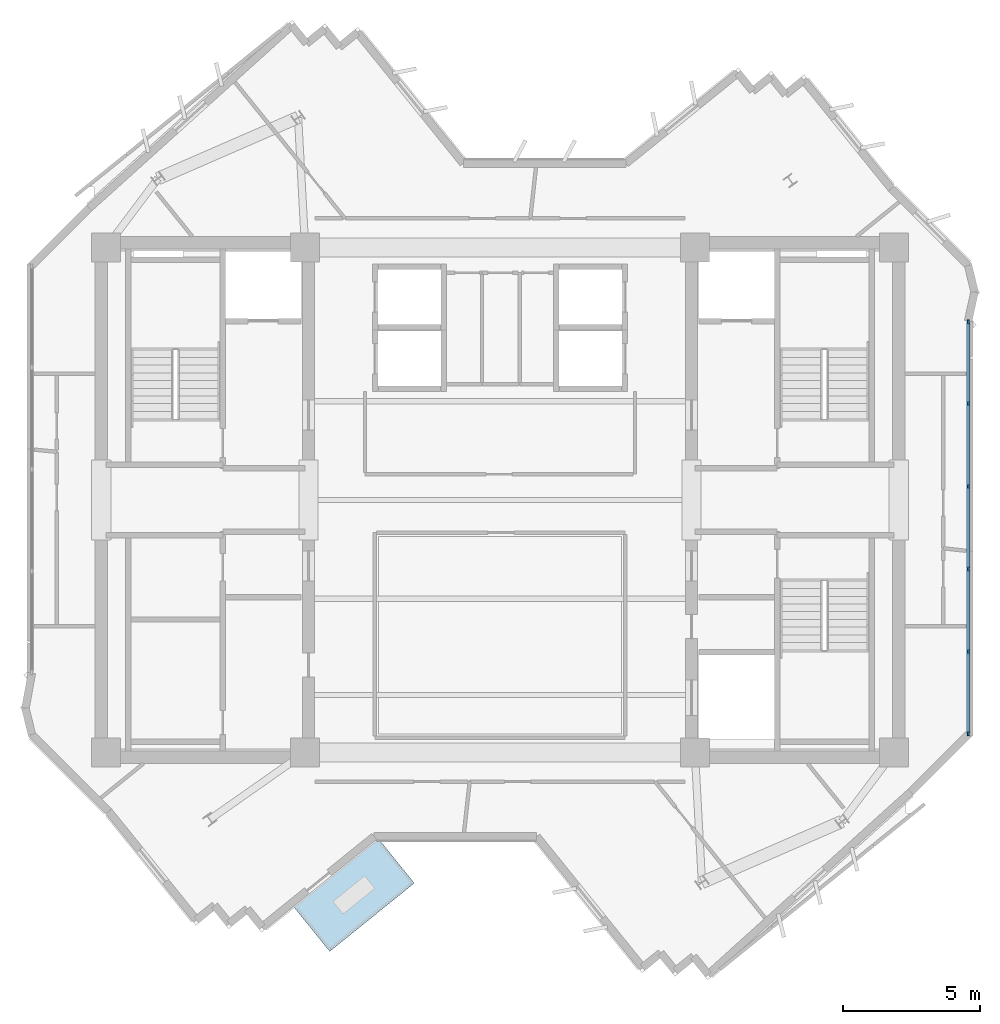
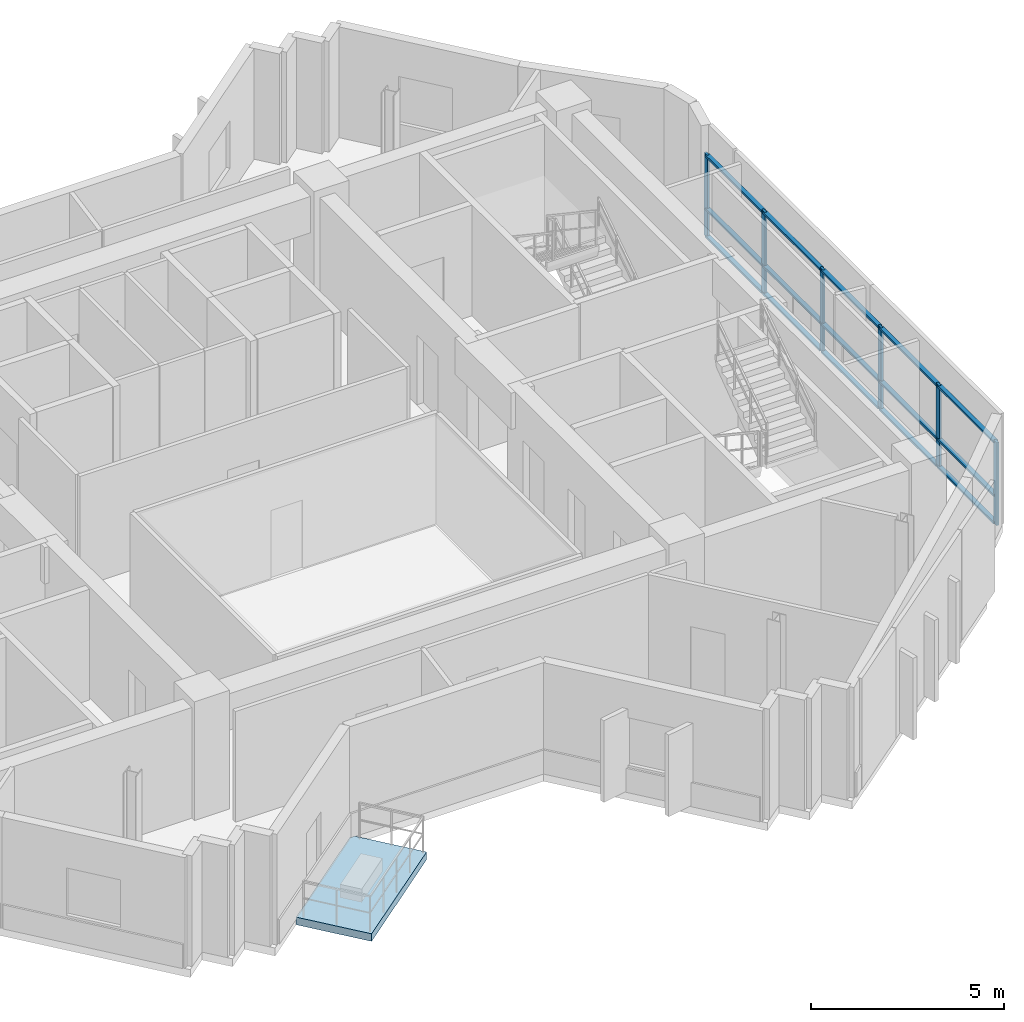
# One storey, part 4 of 11: 21 members, 1 slab, 1 element without a shape of its own.
"""IFC4 building model written with IfcOpenShell, lengths in metres."""

from ifc_helpers import new_model, si_unit, direction, frame, origin, origin_2d, place, context, subcontext, project, spatial, polyline, rectangle, outline, extrude, source, transform, mapped, material, layer, layer_set, material_profile, profile_set, type_object, element, aggregate, save


model = new_model("IFC4")

# Units and contexts
model_context = context("Model", 3, precision=1e-05, world=origin(), true_north=direction((0.0, 1.0)))
body_context = subcontext(model_context, "Body", "Model", "MODEL_VIEW")
ifc_project = project(units=[si_unit("LENGTHUNIT", "METRE"), si_unit("AREAUNIT", "SQUARE_METRE"), si_unit("VOLUMEUNIT", "CUBIC_METRE"), si_unit("PLANEANGLEUNIT", "RADIAN"), si_unit("MASSUNIT", "GRAM", prefix="KILO")], contexts=[model_context])

# Site, building, storey
site_placement = place(None, origin())
site = spatial("IfcSite", under=ifc_project, at=site_placement, CompositionType="ELEMENT")
building_placement = place(site_placement, origin())
building = spatial("IfcBuilding", under=site, at=building_placement, Name="Zahravan Cultural Tower", CompositionType="ELEMENT")
storey_placement = place(building_placement, frame((0.0, 0.0, 284.10009765625)))
storey = spatial("IfcBuildingStorey", under=building, at=storey_placement, Name="L68", CompositionType="ELEMENT", Elevation=284.10009765625)

# Curtain wall, members
ifc_material_1 = material(Name="Anodised bronze-aluminium mullion", Category="aluminium")
ifc_layer_1 = layer(ifc_material_1, 0.1650390625)
ifc_layer_set_1 = layer_set([ifc_layer_1], Name="Anodised bronze-aluminium mullion")
curtain_wall_type = type_object("IfcCurtainWallType", Name="CW-SYS-4", PredefinedType="USERDEFINED", material=ifc_layer_set_1)
curtain_wall_placement = place(storey_placement, origin())
curtain_wall = element("IfcCurtainWall", 1, at=curtain_wall_placement, inside=storey, type_object=curtain_wall_type, Name="L68 Recessed Curtain Wall CW-4.2", ObjectType="RECESSED GLAZING", PredefinedType="USERDEFINED")
ifc_material_profile_1 = material_profile(ifc_material_1, rectangle(XDim=0.06494140625, YDim=0.1650390625, at=origin_2d()), Name="AL-M65X165")
ifc_profile_set_1 = profile_set([ifc_material_profile_1], Name="Anodised bronze-aluminium mullion")
member_type_1 = type_object("IfcMemberType", Name="CWM-CW-4", PredefinedType="MULLION", material=ifc_profile_set_1)
shared_shape_1 = source(origin(), body_context, "Body", "SweptSolid", [
    extrude(rectangle(XDim=0.06494140625, YDim=0.1650390625, at=origin_2d()), origin(), (0.0, 0.0, 1.0), 2.619873046875),
])
member_1_placement = place(storey_placement, frame((53.06005859375, 33.48828125, 0.0), z_axis=(0.0, 0.0, 1.0), x_axis=(1.0, 0.0, 0.0)))
member_1 = element("IfcMember", 2, at=member_1_placement, type_object=member_type_1, Name="CW-4 mullion 1", PredefinedType="MULLION", context=body_context, shape_type="MappedRepresentation", body=[
    mapped(shared_shape_1, transform((0.0, 0.0, 0.0), x_axis=(1.0, 0.0, 0.0), y_axis=(0.0, 1.0, 0.0), z_axis=(0.0, 0.0, 1.0), scale=1.0)),
])
member_2_placement = place(storey_placement, frame((53.06005859375, 30.50830078125, 0.0), z_axis=(0.0, 0.0, 1.0), x_axis=(1.0, 0.0, 0.0)))
member_2 = element("IfcMember", 3, at=member_2_placement, type_object=member_type_1, Name="CW-4 mullion 2", PredefinedType="MULLION", context=body_context, shape_type="MappedRepresentation", body=[
    mapped(shared_shape_1, transform((0.0, 0.0, 0.0), x_axis=(1.0, 0.0, 0.0), y_axis=(0.0, 1.0, 0.0), z_axis=(0.0, 0.0, 1.0), scale=1.0)),
])
member_3_placement = place(storey_placement, frame((53.06005859375, 27.49560546875, 0.0), z_axis=(0.0, 0.0, 1.0), x_axis=(1.0, 0.0, 0.0)))
member_3 = element("IfcMember", 4, at=member_3_placement, type_object=member_type_1, Name="CW-4 mullion 3", PredefinedType="MULLION", context=body_context, shape_type="MappedRepresentation", body=[
    mapped(shared_shape_1, transform((0.0, 0.0, 0.0), x_axis=(1.0, 0.0, 0.0), y_axis=(0.0, 1.0, 0.0), z_axis=(0.0, 0.0, 1.0), scale=1.0)),
])
member_4_placement = place(storey_placement, frame((53.06005859375, 24.483154296875, 0.0), z_axis=(0.0, 0.0, 1.0), x_axis=(1.0, 0.0, 0.0)))
member_4 = element("IfcMember", 5, at=member_4_placement, type_object=member_type_1, Name="CW-4 mullion 4", PredefinedType="MULLION", context=body_context, shape_type="MappedRepresentation", body=[
    mapped(shared_shape_1, transform((0.0, 0.0, 0.0), x_axis=(1.0, 0.0, 0.0), y_axis=(0.0, 1.0, 0.0), z_axis=(0.0, 0.0, 1.0), scale=1.0)),
])
member_5_placement = place(storey_placement, frame((53.06005859375, 21.470458984375, 0.0), z_axis=(0.0, 0.0, 1.0), x_axis=(1.0, 0.0, 0.0)))
member_5 = element("IfcMember", 6, at=member_5_placement, type_object=member_type_1, Name="CW-4 mullion 5", PredefinedType="MULLION", context=body_context, shape_type="MappedRepresentation", body=[
    mapped(shared_shape_1, transform((0.0, 0.0, 0.0), x_axis=(1.0, 0.0, 0.0), y_axis=(0.0, 1.0, 0.0), z_axis=(0.0, 0.0, 1.0), scale=1.0)),
])
member_6_placement = place(storey_placement, frame((53.06005859375, 18.490478515625, 0.0), z_axis=(0.0, 0.0, 1.0), x_axis=(1.0, 0.0, 0.0)))
member_6 = element("IfcMember", 7, at=member_6_placement, type_object=member_type_1, Name="CW-4 mullion 6", PredefinedType="MULLION", context=body_context, shape_type="MappedRepresentation", body=[
    mapped(shared_shape_1, transform((0.0, 0.0, 0.0), x_axis=(1.0, 0.0, 0.0), y_axis=(0.0, 1.0, 0.0), z_axis=(0.0, 0.0, 1.0), scale=1.0)),
])
ifc_material_profile_2 = material_profile(ifc_material_1, rectangle(XDim=0.1298828125, YDim=0.06494140625, at=origin_2d()), Name="AL-T65X130")
ifc_profile_set_2 = profile_set([ifc_material_profile_2], Name="Anodised bronze-aluminium mullion")
member_type_2 = type_object("IfcMemberType", Name="CWT-CW-4", PredefinedType="USERDEFINED", material=ifc_profile_set_2)
shared_shape_2 = source(origin(), body_context, "Body", "SweptSolid", [
    extrude(rectangle(XDim=0.1298828125, YDim=0.06494140625, at=origin_2d()), origin(), (0.0, 0.0, 1.0), 2.9150390625),
])
member_7_placement = place(storey_placement, frame((53.06005859375, 33.455810546875, 0.032470703125), z_axis=(0.0, -1.0, 0.0), x_axis=(1.0, 0.0, 0.0)))
member_7 = element("IfcMember", 8, at=member_7_placement, type_object=member_type_2, Name="CW-4 transom 1.1", ObjectType="TRANSOM", PredefinedType="USERDEFINED", context=body_context, shape_type="MappedRepresentation", body=[
    mapped(shared_shape_2, transform((0.0, 0.0, 0.0), x_axis=(1.0, 0.0, 0.0), y_axis=(0.0, 1.0, 0.0), z_axis=(0.0, 0.0, 1.0), scale=1.0)),
])
member_8_placement = place(storey_placement, frame((53.06005859375, 33.455810546875, 0.89990234375), z_axis=(0.0, -1.0, 0.0), x_axis=(1.0, 0.0, 0.0)))
member_8 = element("IfcMember", 9, at=member_8_placement, type_object=member_type_2, Name="CW-4 transom 1.2", ObjectType="TRANSOM", PredefinedType="USERDEFINED", context=body_context, shape_type="MappedRepresentation", body=[
    mapped(shared_shape_2, transform((0.0, 0.0, 0.0), x_axis=(1.0, 0.0, 0.0), y_axis=(0.0, 1.0, 0.0), z_axis=(0.0, 0.0, 1.0), scale=1.0)),
])
member_9_placement = place(storey_placement, frame((53.06005859375, 33.455810546875, 2.58740234375), z_axis=(0.0, -1.0, 0.0), x_axis=(1.0, 0.0, 0.0)))
member_9 = element("IfcMember", 10, at=member_9_placement, type_object=member_type_2, Name="CW-4 transom 1.3", ObjectType="TRANSOM", PredefinedType="USERDEFINED", context=body_context, shape_type="MappedRepresentation", body=[
    mapped(shared_shape_2, transform((0.0, 0.0, 0.0), x_axis=(1.0, 0.0, 0.0), y_axis=(0.0, 1.0, 0.0), z_axis=(0.0, 0.0, 1.0), scale=1.0)),
])
member_10_placement = place(storey_placement, frame((53.06005859375, 21.43798828125, 0.032470703125), z_axis=(0.0, -1.0, 0.0), x_axis=(1.0, 0.0, 0.0)))
member_10 = element("IfcMember", 11, at=member_10_placement, type_object=member_type_2, Name="CW-4 transom 5.1", ObjectType="TRANSOM", PredefinedType="USERDEFINED", context=body_context, shape_type="MappedRepresentation", body=[
    mapped(shared_shape_2, transform((0.0, 0.0, 0.0), x_axis=(1.0, 0.0, 0.0), y_axis=(0.0, 1.0, 0.0), z_axis=(0.0, 0.0, 1.0), scale=1.0)),
])
member_11_placement = place(storey_placement, frame((53.06005859375, 21.43798828125, 0.89990234375), z_axis=(0.0, -1.0, 0.0), x_axis=(1.0, 0.0, 0.0)))
member_11 = element("IfcMember", 12, at=member_11_placement, type_object=member_type_2, Name="CW-4 transom 5.2", ObjectType="TRANSOM", PredefinedType="USERDEFINED", context=body_context, shape_type="MappedRepresentation", body=[
    mapped(shared_shape_2, transform((0.0, 0.0, 0.0), x_axis=(1.0, 0.0, 0.0), y_axis=(0.0, 1.0, 0.0), z_axis=(0.0, 0.0, 1.0), scale=1.0)),
])
member_12_placement = place(storey_placement, frame((53.06005859375, 21.43798828125, 2.58740234375), z_axis=(0.0, -1.0, 0.0), x_axis=(1.0, 0.0, 0.0)))
member_12 = element("IfcMember", 13, at=member_12_placement, type_object=member_type_2, Name="CW-4 transom 5.3", ObjectType="TRANSOM", PredefinedType="USERDEFINED", context=body_context, shape_type="MappedRepresentation", body=[
    mapped(shared_shape_2, transform((0.0, 0.0, 0.0), x_axis=(1.0, 0.0, 0.0), y_axis=(0.0, 1.0, 0.0), z_axis=(0.0, 0.0, 1.0), scale=1.0)),
])
shared_shape_3 = source(origin(), body_context, "Body", "SweptSolid", [
    extrude(rectangle(XDim=0.1298828125, YDim=0.06494140625, at=origin_2d()), origin(), (0.0, 0.0, 1.0), 2.94775390625),
])
member_13_placement = place(storey_placement, frame((53.06005859375, 30.475830078125, 0.032470703125), z_axis=(0.0, -1.0, 0.0), x_axis=(1.0, 0.0, 0.0)))
member_13 = element("IfcMember", 14, at=member_13_placement, type_object=member_type_2, Name="CW-4 transom 2.1", ObjectType="TRANSOM", PredefinedType="USERDEFINED", context=body_context, shape_type="MappedRepresentation", body=[
    mapped(shared_shape_3, transform((0.0, 0.0, 0.0), x_axis=(1.0, 0.0, 0.0), y_axis=(0.0, 1.0, 0.0), z_axis=(0.0, 0.0, 1.0), scale=1.0)),
])
member_14_placement = place(storey_placement, frame((53.06005859375, 30.475830078125, 0.89990234375), z_axis=(0.0, -1.0, 0.0), x_axis=(1.0, 0.0, 0.0)))
member_14 = element("IfcMember", 15, at=member_14_placement, type_object=member_type_2, Name="CW-4 transom 2.2", ObjectType="TRANSOM", PredefinedType="USERDEFINED", context=body_context, shape_type="MappedRepresentation", body=[
    mapped(shared_shape_3, transform((0.0, 0.0, 0.0), x_axis=(1.0, 0.0, 0.0), y_axis=(0.0, 1.0, 0.0), z_axis=(0.0, 0.0, 1.0), scale=1.0)),
])
member_15_placement = place(storey_placement, frame((53.06005859375, 30.475830078125, 2.58740234375), z_axis=(0.0, -1.0, 0.0), x_axis=(1.0, 0.0, 0.0)))
member_15 = element("IfcMember", 16, at=member_15_placement, type_object=member_type_2, Name="CW-4 transom 2.3", ObjectType="TRANSOM", PredefinedType="USERDEFINED", context=body_context, shape_type="MappedRepresentation", body=[
    mapped(shared_shape_3, transform((0.0, 0.0, 0.0), x_axis=(1.0, 0.0, 0.0), y_axis=(0.0, 1.0, 0.0), z_axis=(0.0, 0.0, 1.0), scale=1.0)),
])
shared_shape_4 = source(origin(), body_context, "Body", "SweptSolid", [
    extrude(rectangle(XDim=0.1298828125, YDim=0.06494140625, at=origin_2d()), origin(), (0.0, 0.0, 1.0), 2.947509765625),
])
member_16_placement = place(storey_placement, frame((53.06005859375, 27.463134765625, 0.032470703125), z_axis=(0.0, -1.0, 0.0), x_axis=(1.0, 0.0, 0.0)))
member_16 = element("IfcMember", 17, at=member_16_placement, type_object=member_type_2, Name="CW-4 transom 3.1", ObjectType="TRANSOM", PredefinedType="USERDEFINED", context=body_context, shape_type="MappedRepresentation", body=[
    mapped(shared_shape_4, transform((0.0, 0.0, 0.0), x_axis=(1.0, 0.0, 0.0), y_axis=(0.0, 1.0, 0.0), z_axis=(0.0, 0.0, 1.0), scale=1.0)),
])
member_17_placement = place(storey_placement, frame((53.06005859375, 27.463134765625, 0.89990234375), z_axis=(0.0, -1.0, 0.0), x_axis=(1.0, 0.0, 0.0)))
member_17 = element("IfcMember", 18, at=member_17_placement, type_object=member_type_2, Name="CW-4 transom 3.2", ObjectType="TRANSOM", PredefinedType="USERDEFINED", context=body_context, shape_type="MappedRepresentation", body=[
    mapped(shared_shape_4, transform((0.0, 0.0, 0.0), x_axis=(1.0, 0.0, 0.0), y_axis=(0.0, 1.0, 0.0), z_axis=(0.0, 0.0, 1.0), scale=1.0)),
])
member_18_placement = place(storey_placement, frame((53.06005859375, 27.463134765625, 2.58740234375), z_axis=(0.0, -1.0, 0.0), x_axis=(1.0, 0.0, 0.0)))
member_18 = element("IfcMember", 19, at=member_18_placement, type_object=member_type_2, Name="CW-4 transom 3.3", ObjectType="TRANSOM", PredefinedType="USERDEFINED", context=body_context, shape_type="MappedRepresentation", body=[
    mapped(shared_shape_4, transform((0.0, 0.0, 0.0), x_axis=(1.0, 0.0, 0.0), y_axis=(0.0, 1.0, 0.0), z_axis=(0.0, 0.0, 1.0), scale=1.0)),
])
member_19_placement = place(storey_placement, frame((53.06005859375, 24.45068359375, 0.032470703125), z_axis=(0.0, -1.0, 0.0), x_axis=(1.0, 0.0, 0.0)))
member_19 = element("IfcMember", 20, at=member_19_placement, type_object=member_type_2, Name="CW-4 transom 4.1", ObjectType="TRANSOM", PredefinedType="USERDEFINED", context=body_context, shape_type="MappedRepresentation", body=[
    mapped(shared_shape_4, transform((0.0, 0.0, 0.0), x_axis=(1.0, 0.0, 0.0), y_axis=(0.0, 1.0, 0.0), z_axis=(0.0, 0.0, 1.0), scale=1.0)),
])
member_20_placement = place(storey_placement, frame((53.06005859375, 24.45068359375, 0.89990234375), z_axis=(0.0, -1.0, 0.0), x_axis=(1.0, 0.0, 0.0)))
member_20 = element("IfcMember", 21, at=member_20_placement, type_object=member_type_2, Name="CW-4 transom 4.2", ObjectType="TRANSOM", PredefinedType="USERDEFINED", context=body_context, shape_type="MappedRepresentation", body=[
    mapped(shared_shape_4, transform((0.0, 0.0, 0.0), x_axis=(1.0, 0.0, 0.0), y_axis=(0.0, 1.0, 0.0), z_axis=(0.0, 0.0, 1.0), scale=1.0)),
])
member_21_placement = place(storey_placement, frame((53.06005859375, 24.45068359375, 2.58740234375), z_axis=(0.0, -1.0, 0.0), x_axis=(1.0, 0.0, 0.0)))
member_21 = element("IfcMember", 22, at=member_21_placement, type_object=member_type_2, Name="CW-4 transom 4.3", ObjectType="TRANSOM", PredefinedType="USERDEFINED", context=body_context, shape_type="MappedRepresentation", body=[
    mapped(shared_shape_4, transform((0.0, 0.0, 0.0), x_axis=(1.0, 0.0, 0.0), y_axis=(0.0, 1.0, 0.0), z_axis=(0.0, 0.0, 1.0), scale=1.0)),
])
aggregate(curtain_wall, [member_1, member_2, member_3, member_4, member_5, member_6, member_7, member_8, member_9, member_13, member_14, member_15, member_16, member_17, member_18, member_19, member_20, member_21, member_10, member_11, member_12])

# Slab
ifc_material_2 = material(Name="Concrete C40/50", Category="concrete")
ifc_layer_2 = layer(ifc_material_2, 0.239990234375)
ifc_layer_set_2 = layer_set([ifc_layer_2], Name="Concrete C40/50")
slab_type = type_object("IfcSlabType", Name="SL-TERR-240", PredefinedType="FLOOR", material=ifc_layer_set_2)
slab_placement = place(storey_placement, frame((0.0, 0.0, -0.239990234375)))
element("IfcSlab", 23, at=slab_placement, inside=storey, type_object=slab_type, Name="L68 Planted Sculpture Terrace SW", PredefinedType="FLOOR", context=body_context, shape_type="SweptSolid", body=[
    extrude(outline(polyline([(32.876708984375, 13.03955078125), (31.62060546875, 14.594970703125), (31.46826171875, 14.594970703125), (28.4794921875, 12.181884765625), (29.79541015625, 10.552001953125), (32.876708984375, 13.03955078125)])), origin(), (0.0, 0.0, 1.0), 0.239990234375),
])

save(model, "model.ifc")
